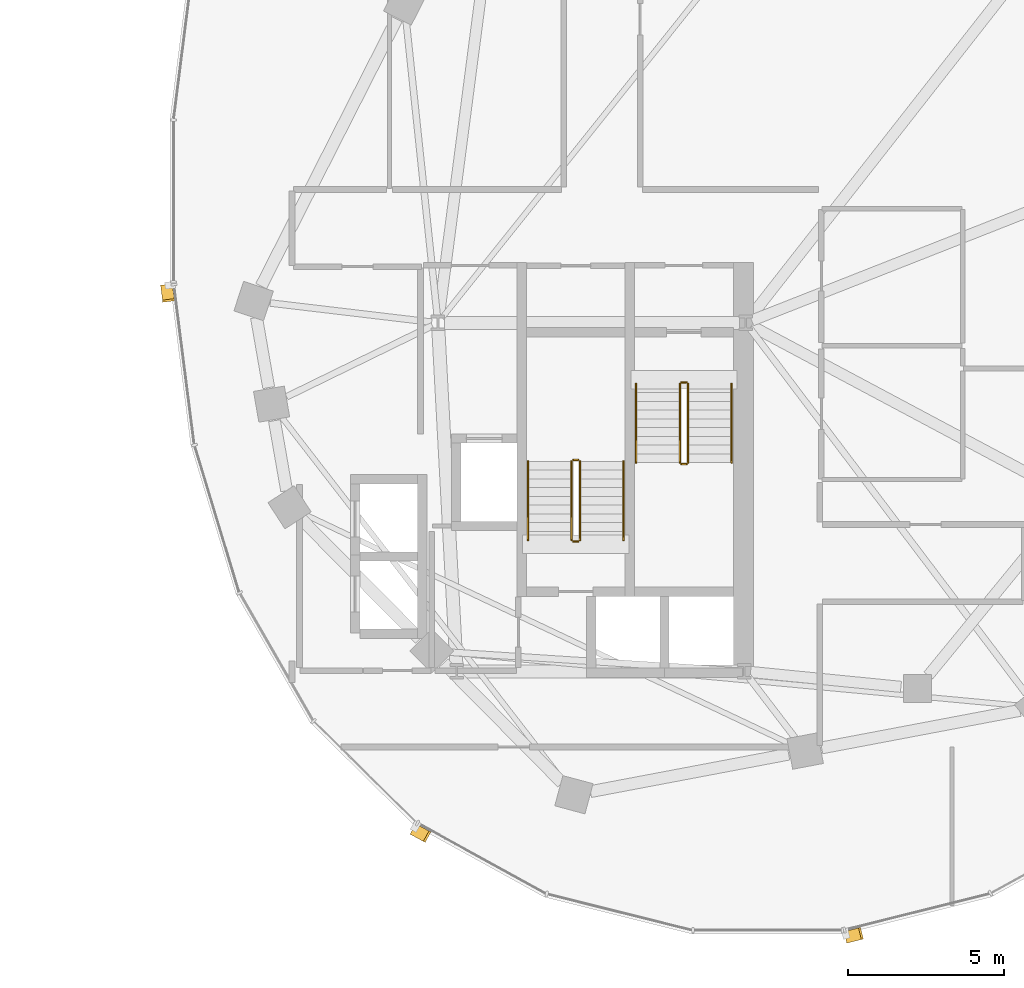
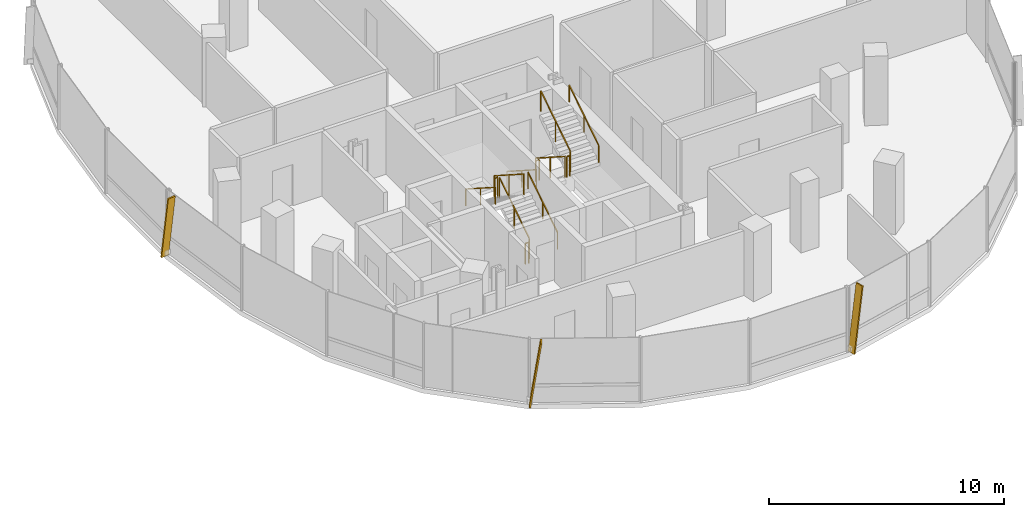
# One storey, part 21 of 22: 12 railings, 3 shading devices.
"""IFC4 building model written with IfcOpenShell, lengths in metres."""

from ifc_helpers import new_model, si_unit, direction, frame, origin, origin_2d, place, context, subcontext, project, spatial, rectangle, extrude, material, material_profile, profile_set, type_object, element, save


model = new_model("IFC4")

# Units and contexts
model_context = context("Model", 3, precision=1e-05, world=origin(), true_north=direction((0.0, 1.0)))
body_context = subcontext(model_context, "Body", "Model", "MODEL_VIEW")
ifc_project = project(units=[si_unit("LENGTHUNIT", "METRE"), si_unit("AREAUNIT", "SQUARE_METRE"), si_unit("VOLUMEUNIT", "CUBIC_METRE"), si_unit("PLANEANGLEUNIT", "RADIAN"), si_unit("MASSUNIT", "GRAM", prefix="KILO"), si_unit("THERMODYNAMICTEMPERATUREUNIT", "KELVIN"), si_unit("POWERUNIT", "WATT")], contexts=[model_context])

# Site, building, storey
site_placement = place(None, origin())
site = spatial("IfcSite", under=ifc_project, at=site_placement, CompositionType="ELEMENT")
building_placement = place(site_placement, origin())
building = spatial("IfcBuilding", under=site, at=building_placement, Name="Cundina Bronze Exchange", CompositionType="ELEMENT")
storey_placement = place(building_placement, frame((0.0, 0.0, 136.800048828125)))
storey = spatial("IfcBuildingStorey", under=building, at=storey_placement, Name="L35", CompositionType="ELEMENT", Elevation=136.800048828125)

# Railings
ifc_material_1 = material(Name="Steel ASTM A36 Painted", Category="steel")
railing_type_1 = type_object("IfcRailingType", Name="RLG-HND-900", PredefinedType="HANDRAIL", material=ifc_material_1)
railing_1_placement = place(storey_placement, frame((27.7900390625, -5.85009765625, 0.179931640625)))
element("IfcRailing", 1, at=railing_1_placement, inside=storey, type_object=railing_type_1, Name="L35 ST-E1 stair handrail 1", PredefinedType="HANDRAIL", context=body_context, shape_type="SweptSolid", body=[
    extrude(rectangle(XDim=0.048095703125, YDim=0.048095703125, at=origin_2d()), frame((0.0, 0.0, 0.8759765625), z_axis=(0.0, -0.841162588446, 0.540782303519), x_axis=(1.0, 0.0, 0.0)), (0.0, 0.0, 1.0), 2.995849609375),
    extrude(rectangle(XDim=0.0419921875, YDim=0.0419921875, at=origin_2d()), origin(), (0.0, 0.0, 1.0), 0.851806640625),
    extrude(rectangle(XDim=0.0419921875, YDim=0.0419921875, at=origin_2d()), frame((0.0, -1.260009765625, 0.81005859375)), (0.0, 0.0, 1.0), 0.851806640625),
    extrude(rectangle(XDim=0.0419921875, YDim=0.0419921875, at=origin_2d()), frame((0.0, -2.52001953125, 1.6201171875)), (0.0, 0.0, 1.0), 0.851806640625),
])
railing_2_placement = place(storey_placement, frame((30.85009765625, -8.3701171875, 1.97998046875)))
element("IfcRailing", 2, at=railing_2_placement, inside=storey, type_object=railing_type_1, Name="L35 ST-E1 stair handrail 2", PredefinedType="HANDRAIL", context=body_context, shape_type="SweptSolid", body=[
    extrude(rectangle(XDim=0.048095703125, YDim=0.048095703125, at=origin_2d()), frame((0.0, 0.0, 0.8759765625), z_axis=(0.0, 0.841199657755, 0.540724639528), x_axis=(-1.0, 0.0, 0.0)), (0.0, 0.0, 1.0), 2.995849609375),
    extrude(rectangle(XDim=0.0419921875, YDim=0.0419921875, at=origin_2d()), origin(), (0.0, 0.0, 1.0), 0.851806640625),
    extrude(rectangle(XDim=0.0419921875, YDim=0.0419921875, at=origin_2d()), frame((0.0, 1.260009765625, 0.81005859375)), (0.0, 0.0, 1.0), 0.851806640625),
    extrude(rectangle(XDim=0.0419921875, YDim=0.0419921875, at=origin_2d()), frame((0.0, 2.52001953125, 1.619873046875)), (0.0, 0.0, 1.0), 0.851806640625),
])
railing_3_placement = place(storey_placement, frame((27.389892578125, -10.85009765625, 0.179931640625)))
element("IfcRailing", 3, at=railing_3_placement, inside=storey, type_object=railing_type_1, Name="L35 ST-E2 stair handrail 1", PredefinedType="HANDRAIL", context=body_context, shape_type="SweptSolid", body=[
    extrude(rectangle(XDim=0.048095703125, YDim=0.048095703125, at=origin_2d()), frame((0.0, 0.0, 0.8759765625), z_axis=(0.0, 0.841162588446, 0.540782303519), x_axis=(-1.0, 0.0, 0.0)), (0.0, 0.0, 1.0), 2.995849609375),
    extrude(rectangle(XDim=0.0419921875, YDim=0.0419921875, at=origin_2d()), origin(), (0.0, 0.0, 1.0), 0.851806640625),
    extrude(rectangle(XDim=0.0419921875, YDim=0.0419921875, at=origin_2d()), frame((0.0, 1.260009765625, 0.81005859375)), (0.0, 0.0, 1.0), 0.851806640625),
    extrude(rectangle(XDim=0.0419921875, YDim=0.0419921875, at=origin_2d()), frame((0.0, 2.52001953125, 1.6201171875)), (0.0, 0.0, 1.0), 0.851806640625),
])
railing_4_placement = place(storey_placement, frame((24.330078125, -8.330078125, 1.97998046875)))
element("IfcRailing", 4, at=railing_4_placement, inside=storey, type_object=railing_type_1, Name="L35 ST-E2 stair handrail 2", PredefinedType="HANDRAIL", context=body_context, shape_type="SweptSolid", body=[
    extrude(rectangle(XDim=0.048095703125, YDim=0.048095703125, at=origin_2d()), frame((0.0, 0.0, 0.8759765625), z_axis=(0.0, -0.841199657755, 0.540724639528), x_axis=(1.0, 0.0, 0.0)), (0.0, 0.0, 1.0), 2.995849609375),
    extrude(rectangle(XDim=0.0419921875, YDim=0.0419921875, at=origin_2d()), origin(), (0.0, 0.0, 1.0), 0.851806640625),
    extrude(rectangle(XDim=0.0419921875, YDim=0.0419921875, at=origin_2d()), frame((0.0, -1.260009765625, 0.81005859375)), (0.0, 0.0, 1.0), 0.851806640625),
    extrude(rectangle(XDim=0.0419921875, YDim=0.0419921875, at=origin_2d()), frame((0.0, -2.52001953125, 1.619873046875)), (0.0, 0.0, 1.0), 0.851806640625),
])
railing_type_2 = type_object("IfcRailingType", Name="RLG-STG-1100", PredefinedType="GUARDRAIL", material=ifc_material_1)
railing_5_placement = place(storey_placement, frame((29.18994140625, -5.85009765625, 0.179931640625)))
element("IfcRailing", 5, at=railing_5_placement, inside=storey, type_object=railing_type_2, Name="L35 ST-E1 stair guard 1", PredefinedType="GUARDRAIL", context=body_context, shape_type="SweptSolid", body=[
    extrude(rectangle(XDim=0.048095703125, YDim=0.048095703125, at=origin_2d()), frame((0.0, 0.0, 1.076171875), z_axis=(0.0, -0.841162588446, 0.540782303519), x_axis=(1.0, 0.0, 0.0)), (0.0, 0.0, 1.0), 2.995849609375),
    extrude(rectangle(XDim=0.0419921875, YDim=0.0419921875, at=origin_2d()), origin(), (0.0, 0.0, 1.0), 1.052001953125),
    extrude(rectangle(XDim=0.0419921875, YDim=0.0419921875, at=origin_2d()), frame((0.0, -1.260009765625, 0.81005859375)), (0.0, 0.0, 1.0), 1.052001953125),
    extrude(rectangle(XDim=0.0419921875, YDim=0.0419921875, at=origin_2d()), frame((0.0, -2.52001953125, 1.6201171875)), (0.0, 0.0, 1.0), 1.052001953125),
])
railing_6_placement = place(storey_placement, frame((29.239990234375, -8.419921875, 1.800048828125)))
element("IfcRailing", 6, at=railing_6_placement, inside=storey, type_object=railing_type_2, Name="L35 ST-E1 stair guard 2", PredefinedType="GUARDRAIL", context=body_context, shape_type="SweptSolid", body=[
    extrude(rectangle(XDim=0.048095703125, YDim=0.048095703125, at=origin_2d()), frame((0.0, 0.0, 1.076171875), z_axis=(1.0, 0.0, 0.0), x_axis=(0.0, 1.0, 0.0)), (0.0, 0.0, 1.0), 0.159912109375),
    extrude(rectangle(XDim=0.0419921875, YDim=0.0419921875, at=origin_2d()), origin(), (0.0, 0.0, 1.0), 1.052001953125),
    extrude(rectangle(XDim=0.0419921875, YDim=0.0419921875, at=origin_2d()), frame((0.159912109375, 0.0, 0.0)), (0.0, 0.0, 1.0), 1.052001953125),
])
railing_7_placement = place(storey_placement, frame((29.449951171875, -8.3701171875, 1.97998046875)))
element("IfcRailing", 7, at=railing_7_placement, inside=storey, type_object=railing_type_2, Name="L35 ST-E1 stair guard 3", PredefinedType="GUARDRAIL", context=body_context, shape_type="SweptSolid", body=[
    extrude(rectangle(XDim=0.048095703125, YDim=0.048095703125, at=origin_2d()), frame((0.0, 0.0, 1.076171875), z_axis=(0.0, 0.841199657755, 0.540724639528), x_axis=(-1.0, 0.0, 0.0)), (0.0, 0.0, 1.0), 2.995849609375),
    extrude(rectangle(XDim=0.0419921875, YDim=0.0419921875, at=origin_2d()), origin(), (0.0, 0.0, 1.0), 1.052001953125),
    extrude(rectangle(XDim=0.0419921875, YDim=0.0419921875, at=origin_2d()), frame((0.0, 1.260009765625, 0.81005859375)), (0.0, 0.0, 1.0), 1.052001953125),
    extrude(rectangle(XDim=0.0419921875, YDim=0.0419921875, at=origin_2d()), frame((0.0, 2.52001953125, 1.619873046875)), (0.0, 0.0, 1.0), 1.052001953125),
])
railing_8_placement = place(storey_placement, frame((29.239990234375, -5.800048828125, 0.0)))
element("IfcRailing", 8, at=railing_8_placement, inside=storey, type_object=railing_type_2, Name="L35 ST-E1 stair guard 4", PredefinedType="GUARDRAIL", context=body_context, shape_type="SweptSolid", body=[
    extrude(rectangle(XDim=0.048095703125, YDim=0.048095703125, at=origin_2d()), frame((0.0, 0.0, 1.076171875), z_axis=(1.0, 0.0, 0.0), x_axis=(0.0, 1.0, 0.0)), (0.0, 0.0, 1.0), 0.159912109375),
    extrude(rectangle(XDim=0.0419921875, YDim=0.0419921875, at=origin_2d()), origin(), (0.0, 0.0, 1.0), 1.052001953125),
    extrude(rectangle(XDim=0.0419921875, YDim=0.0419921875, at=origin_2d()), frame((0.159912109375, 0.0, 0.0)), (0.0, 0.0, 1.0), 1.052001953125),
])
railing_9_placement = place(storey_placement, frame((25.989990234375, -10.85009765625, 0.179931640625)))
element("IfcRailing", 9, at=railing_9_placement, inside=storey, type_object=railing_type_2, Name="L35 ST-E2 stair guard 1", PredefinedType="GUARDRAIL", context=body_context, shape_type="SweptSolid", body=[
    extrude(rectangle(XDim=0.048095703125, YDim=0.048095703125, at=origin_2d()), frame((0.0, 0.0, 1.076171875), z_axis=(0.0, 0.841162588446, 0.540782303519), x_axis=(-1.0, 0.0, 0.0)), (0.0, 0.0, 1.0), 2.995849609375),
    extrude(rectangle(XDim=0.0419921875, YDim=0.0419921875, at=origin_2d()), origin(), (0.0, 0.0, 1.0), 1.052001953125),
    extrude(rectangle(XDim=0.0419921875, YDim=0.0419921875, at=origin_2d()), frame((0.0, 1.260009765625, 0.81005859375)), (0.0, 0.0, 1.0), 1.052001953125),
    extrude(rectangle(XDim=0.0419921875, YDim=0.0419921875, at=origin_2d()), frame((0.0, 2.52001953125, 1.6201171875)), (0.0, 0.0, 1.0), 1.052001953125),
])
railing_10_placement = place(storey_placement, frame((25.93994140625, -8.280029296875, 1.800048828125)))
element("IfcRailing", 10, at=railing_10_placement, inside=storey, type_object=railing_type_2, Name="L35 ST-E2 stair guard 2", PredefinedType="GUARDRAIL", context=body_context, shape_type="SweptSolid", body=[
    extrude(rectangle(XDim=0.048095703125, YDim=0.048095703125, at=origin_2d()), frame((0.0, 0.0, 1.076171875), z_axis=(-1.0, 0.0, 0.0), x_axis=(0.0, -1.0, 0.0)), (0.0, 0.0, 1.0), 0.159912109375),
    extrude(rectangle(XDim=0.0419921875, YDim=0.0419921875, at=origin_2d()), origin(), (0.0, 0.0, 1.0), 1.052001953125),
    extrude(rectangle(XDim=0.0419921875, YDim=0.0419921875, at=origin_2d()), frame((-0.159912109375, 0.0, 0.0)), (0.0, 0.0, 1.0), 1.052001953125),
])
railing_11_placement = place(storey_placement, frame((25.72998046875, -8.330078125, 1.97998046875)))
element("IfcRailing", 11, at=railing_11_placement, inside=storey, type_object=railing_type_2, Name="L35 ST-E2 stair guard 3", PredefinedType="GUARDRAIL", context=body_context, shape_type="SweptSolid", body=[
    extrude(rectangle(XDim=0.048095703125, YDim=0.048095703125, at=origin_2d()), frame((0.0, 0.0, 1.076171875), z_axis=(0.0, -0.841199657755, 0.540724639528), x_axis=(1.0, 0.0, 0.0)), (0.0, 0.0, 1.0), 2.995849609375),
    extrude(rectangle(XDim=0.0419921875, YDim=0.0419921875, at=origin_2d()), origin(), (0.0, 0.0, 1.0), 1.052001953125),
    extrude(rectangle(XDim=0.0419921875, YDim=0.0419921875, at=origin_2d()), frame((0.0, -1.260009765625, 0.81005859375)), (0.0, 0.0, 1.0), 1.052001953125),
    extrude(rectangle(XDim=0.0419921875, YDim=0.0419921875, at=origin_2d()), frame((0.0, -2.52001953125, 1.619873046875)), (0.0, 0.0, 1.0), 1.052001953125),
])
railing_12_placement = place(storey_placement, frame((25.93994140625, -10.89990234375, 0.0)))
element("IfcRailing", 12, at=railing_12_placement, inside=storey, type_object=railing_type_2, Name="L35 ST-E2 stair guard 4", PredefinedType="GUARDRAIL", context=body_context, shape_type="SweptSolid", body=[
    extrude(rectangle(XDim=0.048095703125, YDim=0.048095703125, at=origin_2d()), frame((0.0, 0.0, 1.076171875), z_axis=(-1.0, 0.0, 0.0), x_axis=(0.0, -1.0, 0.0)), (0.0, 0.0, 1.0), 0.159912109375),
    extrude(rectangle(XDim=0.0419921875, YDim=0.0419921875, at=origin_2d()), origin(), (0.0, 0.0, 1.0), 1.052001953125),
    extrude(rectangle(XDim=0.0419921875, YDim=0.0419921875, at=origin_2d()), frame((-0.159912109375, 0.0, 0.0)), (0.0, 0.0, 1.0), 1.052001953125),
])

# Shading devices
ifc_material_2 = material(Name="Anodised Bronze Aluminium 6063-T6", Category="aluminium")
ifc_material_profile = material_profile(ifc_material_2, rectangle(XDim=0.070068359375, YDim=0.3798828125, at=origin_2d()), Name="FIN70X380", Category="aluminium")
ifc_profile_set = profile_set([ifc_material_profile], Name="Anodised Bronze Aluminium 6063-T6")
shading_device_type = type_object("IfcShadingDeviceType", Name="SHD-FIN-BRZ380", PredefinedType="USERDEFINED", material=ifc_profile_set)
for number, where, z_axis, x_axis, name in (
    (13, (12.76513671875, -2.705810546875, 0.02001953125), (0.018123110499, -0.141927973785, 0.989711070527), (-0.125360600332, 0.981739641151, 0.143080386066), "L35 Diagonal Bronze Solar Fin 1"),
    (14, (20.679931640625, -20.11181640625, 0.02001953125), (0.125333488691, -0.068998924088, 0.989712415345), (-0.867010347902, 0.477308832643, 0.143071083426), "L35 Diagonal Bronze Solar Fin 5"),
    (15, (34.51953125, -23.556396484375, 0.02001953125), (0.138798398751, 0.034717795597, 0.989711917263), (-0.960131970194, -0.240158861973, 0.143074528925), "L35 Diagonal Bronze Solar Fin 1"),
):
    element("IfcShadingDevice", number, at=place(storey_placement, frame(where, z_axis=z_axis, x_axis=x_axis)), inside=storey, type_object=shading_device_type, Name=name, ObjectType="FIN", PredefinedType="USERDEFINED", context=body_context, shape_type="SweptSolid", body=[
        extrude(rectangle(XDim=0.070068359375, YDim=0.3798828125, at=origin_2d()), origin(), (0.0, 0.0, 1.0), 3.354248046875),
    ])

save(model, "model.ifc")
